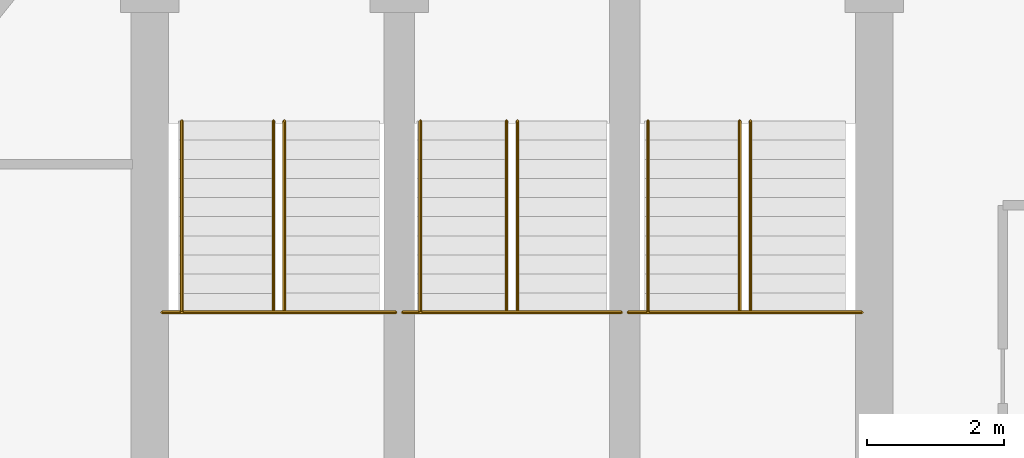
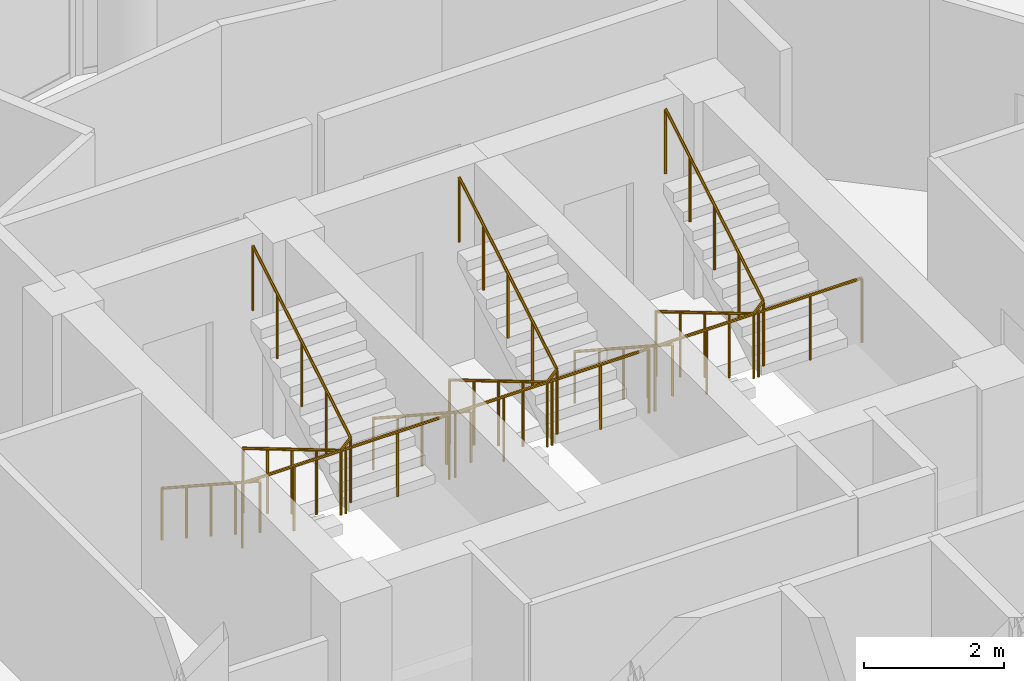
# One storey, part 27 of 27: 9 railings.
"""IFC4 building model written with IfcOpenShell, lengths in metres."""

from ifc_helpers import new_model, si_unit, direction, frame, origin, place, context, subcontext, project, spatial, polyline, outline, extrude, material, type_object, element, save


model = new_model("IFC4")

# Units and contexts
model_context = context("Model", 3, precision=1e-05, world=origin(), true_north=direction((0.0, 1.0)))
body_context = subcontext(model_context, "Body", "Model", "MODEL_VIEW")
ifc_project = project(units=[si_unit("LENGTHUNIT", "METRE"), si_unit("AREAUNIT", "SQUARE_METRE"), si_unit("VOLUMEUNIT", "CUBIC_METRE"), si_unit("PLANEANGLEUNIT", "RADIAN"), si_unit("MASSUNIT", "GRAM", prefix="KILO")], contexts=[model_context])

# Site, building, storey
site_placement = place(None, origin())
site = spatial("IfcSite", under=ifc_project, at=site_placement, CompositionType="ELEMENT")
building_placement = place(site_placement, origin())
building = spatial("IfcBuilding", under=site, at=building_placement, Name="Nuhasar Tower", CompositionType="ELEMENT")
storey_placement = place(building_placement, frame((0.0, 0.0, 226.39990234375)))
storey = spatial("IfcBuildingStorey", under=building, at=storey_placement, Name="L55", CompositionType="ELEMENT", Elevation=226.39990234375)

# Railings
ifc_material_1 = material(Name="Steel S355", Category="steel")
railing_type_1 = type_object("IfcRailingType", Name="RLG-STAIR-GUARD-1150", PredefinedType="GUARDRAIL", material=ifc_material_1)
railing_1_placement = place(storey_placement, frame((33.8798828125, 32.485107421875, 1.8251953125)))
element("IfcRailing", 1, at=railing_1_placement, inside=storey, type_object=railing_type_1, Name="L55 Stair ST-01 Guardrail LND", PredefinedType="GUARDRAIL", context=body_context, shape_type="SweptSolid", body=[
    extrude(outline(polyline([(0.024169921875, 0.0), (0.01708984375, 0.01708984375), (0.0, 0.024169921875), (-0.01708984375, 0.01708984375), (-0.024169921875, 0.0), (-0.01708984375, -0.01708984375), (0.0, -0.024169921875), (0.01708984375, -0.01708984375), (0.024169921875, 0.0)])), frame((0.0, 0.0, 1.1259765625), z_axis=(1.0, 0.0, 0.0), x_axis=(0.0, 1.0, 0.0)), (0.0, 0.0, 1.0), 3.420166015625),
    extrude(outline(polyline([(0.02099609375, 0.0), (0.014892578125, 0.014892578125), (0.0, 0.02099609375), (-0.014892578125, 0.014892578125), (-0.02099609375, 0.0), (-0.014892578125, -0.014892578125), (0.0, -0.02099609375), (0.014892578125, -0.014892578125), (0.02099609375, 0.0)])), origin(), (0.0, 0.0, 1.0), 1.101806640625),
    extrude(outline(polyline([(0.02099609375, 0.0), (0.014892578125, 0.014892578125), (0.0, 0.02099609375), (-0.014892578125, 0.014892578125), (-0.02099609375, 0.0), (-0.014892578125, -0.014892578125), (0.0, -0.02099609375), (0.014892578125, -0.014892578125), (0.02099609375, 0.0)])), frame((0.85498046875, 0.0, 0.0)), (0.0, 0.0, 1.0), 1.101806640625),
    extrude(outline(polyline([(0.02099609375, 0.0), (0.014892578125, 0.014892578125), (0.0, 0.02099609375), (-0.014892578125, 0.014892578125), (-0.02099609375, 0.0), (-0.014892578125, -0.014892578125), (0.0, -0.02099609375), (0.014892578125, -0.014892578125), (0.02099609375, 0.0)])), frame((1.7099609375, 0.0, 0.0)), (0.0, 0.0, 1.0), 1.101806640625),
    extrude(outline(polyline([(0.02099609375, 0.0), (0.014892578125, 0.014892578125), (0.0, 0.02099609375), (-0.014892578125, 0.014892578125), (-0.02099609375, 0.0), (-0.014892578125, -0.014892578125), (0.0, -0.02099609375), (0.014892578125, -0.014892578125), (0.02099609375, 0.0)])), frame((2.565185546875, 0.0, 0.0)), (0.0, 0.0, 1.0), 1.101806640625),
    extrude(outline(polyline([(0.02099609375, 0.0), (0.014892578125, 0.014892578125), (0.0, 0.02099609375), (-0.014892578125, 0.014892578125), (-0.02099609375, 0.0), (-0.014892578125, -0.014892578125), (0.0, -0.02099609375), (0.014892578125, -0.014892578125), (0.02099609375, 0.0)])), frame((3.420166015625, 0.0, 0.0)), (0.0, 0.0, 1.0), 1.101806640625),
])
railing_2_placement = place(storey_placement, frame((35.510009765625, 35.284912109375, 0.166015625)))
element("IfcRailing", 2, at=railing_2_placement, inside=storey, type_object=railing_type_1, Name="L55 Stair ST-01 Guardrail SLT", PredefinedType="GUARDRAIL", context=body_context, shape_type="SweptSolid", body=[
    extrude(outline(polyline([(0.024169921875, 0.0), (0.01708984375, 0.01708984375), (0.0, 0.024169921875), (-0.01708984375, 0.01708984375), (-0.024169921875, 0.0), (-0.01708984375, -0.01708984375), (0.0, -0.024169921875), (0.01708984375, -0.01708984375), (0.024169921875, 0.0)])), frame((0.0, 0.0, 1.1259765625), z_axis=(0.0, -0.860286659441, 0.509810615413), x_axis=(1.0, 0.0, 0.0)), (0.0, 0.0, 1.0), 3.25439453125),
    extrude(outline(polyline([(0.024169921875, 0.0), (0.01708984375, 0.01708984375), (0.0, 0.024169921875), (-0.01708984375, 0.01708984375), (-0.024169921875, 0.0), (-0.01708984375, -0.01708984375), (0.0, -0.024169921875), (0.01708984375, -0.01708984375), (0.024169921875, 0.0)])), frame((0.0, -2.7998046875, 2.78515625), z_axis=(0.693743449033, 0.0, 0.72022220663), x_axis=(0.0, 1.0, 0.0)), (0.0, 0.0, 1.0), 0.23046875),
    extrude(outline(polyline([(0.024169921875, 0.0), (0.01708984375, 0.01708984375), (0.0, 0.024169921875), (-0.01708984375, 0.01708984375), (-0.024169921875, 0.0), (-0.01708984375, -0.01708984375), (0.0, -0.024169921875), (0.01708984375, -0.01708984375), (0.024169921875, 0.0)])), frame((0.159912109375, -2.7998046875, 2.951171875), z_axis=(0.0, 0.860319559791, 0.509755093197), x_axis=(-1.0, 0.0, 0.0)), (0.0, 0.0, 1.0), 3.25439453125),
    extrude(outline(polyline([(0.02099609375, 0.0), (0.014892578125, 0.014892578125), (0.0, 0.02099609375), (-0.014892578125, 0.014892578125), (-0.02099609375, 0.0), (-0.014892578125, -0.014892578125), (0.0, -0.02099609375), (0.014892578125, -0.014892578125), (0.02099609375, 0.0)])), origin(), (0.0, 0.0, 1.0), 1.101806640625),
    extrude(outline(polyline([(0.02099609375, 0.0), (0.014892578125, 0.014892578125), (0.0, 0.02099609375), (-0.014892578125, 0.014892578125), (-0.02099609375, 0.0), (-0.014892578125, -0.014892578125), (0.0, -0.02099609375), (0.014892578125, -0.014892578125), (0.02099609375, 0.0)])), frame((0.0, -0.699951171875, 0.414794921875)), (0.0, 0.0, 1.0), 1.101806640625),
    extrude(outline(polyline([(0.02099609375, 0.0), (0.014892578125, 0.014892578125), (0.0, 0.02099609375), (-0.014892578125, 0.014892578125), (-0.02099609375, 0.0), (-0.014892578125, -0.014892578125), (0.0, -0.02099609375), (0.014892578125, -0.014892578125), (0.02099609375, 0.0)])), frame((0.0, -1.39990234375, 0.82958984375)), (0.0, 0.0, 1.0), 1.101806640625),
    extrude(outline(polyline([(0.02099609375, 0.0), (0.014892578125, 0.014892578125), (0.0, 0.02099609375), (-0.014892578125, 0.014892578125), (-0.02099609375, 0.0), (-0.014892578125, -0.014892578125), (0.0, -0.02099609375), (0.014892578125, -0.014892578125), (0.02099609375, 0.0)])), frame((0.0, -2.099853515625, 1.244384765625)), (0.0, 0.0, 1.0), 1.101806640625),
    extrude(outline(polyline([(0.02099609375, 0.0), (0.014892578125, 0.014892578125), (0.0, 0.02099609375), (-0.014892578125, 0.014892578125), (-0.02099609375, 0.0), (-0.014892578125, -0.014892578125), (0.0, -0.02099609375), (0.014892578125, -0.014892578125), (0.02099609375, 0.0)])), frame((0.0, -2.7998046875, 1.6591796875)), (0.0, 0.0, 1.0), 1.101806640625),
    extrude(outline(polyline([(0.02099609375, 0.0), (0.014892578125, 0.014892578125), (0.0, 0.02099609375), (-0.014892578125, 0.014892578125), (-0.02099609375, 0.0), (-0.014892578125, -0.014892578125), (0.0, -0.02099609375), (0.014892578125, -0.014892578125), (0.02099609375, 0.0)])), frame((0.159912109375, -2.7998046875, 1.8251953125)), (0.0, 0.0, 1.0), 1.101806640625),
    extrude(outline(polyline([(0.02099609375, 0.0), (0.014892578125, 0.014892578125), (0.0, 0.02099609375), (-0.014892578125, 0.014892578125), (-0.02099609375, 0.0), (-0.014892578125, -0.014892578125), (0.0, -0.02099609375), (0.014892578125, -0.014892578125), (0.02099609375, 0.0)])), frame((0.159912109375, -2.099853515625, 2.239990234375)), (0.0, 0.0, 1.0), 1.101806640625),
    extrude(outline(polyline([(0.02099609375, 0.0), (0.014892578125, 0.014892578125), (0.0, 0.02099609375), (-0.014892578125, 0.014892578125), (-0.02099609375, 0.0), (-0.014892578125, -0.014892578125), (0.0, -0.02099609375), (0.014892578125, -0.014892578125), (0.02099609375, 0.0)])), frame((0.159912109375, -1.39990234375, 2.65478515625)), (0.0, 0.0, 1.0), 1.101806640625),
    extrude(outline(polyline([(0.02099609375, 0.0), (0.014892578125, 0.014892578125), (0.0, 0.02099609375), (-0.014892578125, 0.014892578125), (-0.02099609375, 0.0), (-0.014892578125, -0.014892578125), (0.0, -0.02099609375), (0.014892578125, -0.014892578125), (0.02099609375, 0.0)])), frame((0.159912109375, -0.699951171875, 3.0693359375)), (0.0, 0.0, 1.0), 1.101806640625),
    extrude(outline(polyline([(0.02099609375, 0.0), (0.014892578125, 0.014892578125), (0.0, 0.02099609375), (-0.014892578125, 0.014892578125), (-0.02099609375, 0.0), (-0.014892578125, -0.014892578125), (0.0, -0.02099609375), (0.014892578125, -0.014892578125), (0.02099609375, 0.0)])), frame((0.159912109375, 0.0, 3.484130859375)), (0.0, 0.0, 1.0), 1.101806640625),
])
railing_3_placement = place(storey_placement, frame((37.39990234375, 32.485107421875, 1.8251953125)))
element("IfcRailing", 3, at=railing_3_placement, inside=storey, type_object=railing_type_1, Name="L55 Stair ST-03 Guardrail LND", PredefinedType="GUARDRAIL", context=body_context, shape_type="SweptSolid", body=[
    extrude(outline(polyline([(0.024169921875, 0.0), (0.01708984375, 0.01708984375), (0.0, 0.024169921875), (-0.01708984375, 0.01708984375), (-0.024169921875, 0.0), (-0.01708984375, -0.01708984375), (0.0, -0.024169921875), (0.01708984375, -0.01708984375), (0.024169921875, 0.0)])), frame((0.0, 0.0, 1.1259765625), z_axis=(1.0, 0.0, 0.0), x_axis=(0.0, 1.0, 0.0)), (0.0, 0.0, 1.0), 3.2001953125),
    extrude(outline(polyline([(0.02099609375, 0.0), (0.014892578125, 0.014892578125), (0.0, 0.02099609375), (-0.014892578125, 0.014892578125), (-0.02099609375, 0.0), (-0.014892578125, -0.014892578125), (0.0, -0.02099609375), (0.014892578125, -0.014892578125), (0.02099609375, 0.0)])), origin(), (0.0, 0.0, 1.0), 1.101806640625),
    extrude(outline(polyline([(0.02099609375, 0.0), (0.014892578125, 0.014892578125), (0.0, 0.02099609375), (-0.014892578125, 0.014892578125), (-0.02099609375, 0.0), (-0.014892578125, -0.014892578125), (0.0, -0.02099609375), (0.014892578125, -0.014892578125), (0.02099609375, 0.0)])), frame((0.800048828125, 0.0, 0.0)), (0.0, 0.0, 1.0), 1.101806640625),
    extrude(outline(polyline([(0.02099609375, 0.0), (0.014892578125, 0.014892578125), (0.0, 0.02099609375), (-0.014892578125, 0.014892578125), (-0.02099609375, 0.0), (-0.014892578125, -0.014892578125), (0.0, -0.02099609375), (0.014892578125, -0.014892578125), (0.02099609375, 0.0)])), frame((1.60009765625, 0.0, 0.0)), (0.0, 0.0, 1.0), 1.101806640625),
    extrude(outline(polyline([(0.02099609375, 0.0), (0.014892578125, 0.014892578125), (0.0, 0.02099609375), (-0.014892578125, 0.014892578125), (-0.02099609375, 0.0), (-0.014892578125, -0.014892578125), (0.0, -0.02099609375), (0.014892578125, -0.014892578125), (0.02099609375, 0.0)])), frame((2.400146484375, 0.0, 0.0)), (0.0, 0.0, 1.0), 1.101806640625),
    extrude(outline(polyline([(0.02099609375, 0.0), (0.014892578125, 0.014892578125), (0.0, 0.02099609375), (-0.014892578125, 0.014892578125), (-0.02099609375, 0.0), (-0.014892578125, -0.014892578125), (0.0, -0.02099609375), (0.014892578125, -0.014892578125), (0.02099609375, 0.0)])), frame((3.2001953125, 0.0, 0.0)), (0.0, 0.0, 1.0), 1.101806640625),
])
railing_4_placement = place(storey_placement, frame((38.919921875, 35.284912109375, 0.166015625)))
element("IfcRailing", 4, at=railing_4_placement, inside=storey, type_object=railing_type_1, Name="L55 Stair ST-03 Guardrail SLT", PredefinedType="GUARDRAIL", context=body_context, shape_type="SweptSolid", body=[
    extrude(outline(polyline([(0.024169921875, 0.0), (0.01708984375, 0.01708984375), (0.0, 0.024169921875), (-0.01708984375, 0.01708984375), (-0.024169921875, 0.0), (-0.01708984375, -0.01708984375), (0.0, -0.024169921875), (0.01708984375, -0.01708984375), (0.024169921875, 0.0)])), frame((0.0, 0.0, 1.1259765625), z_axis=(0.0, -0.860286659441, 0.509810615413), x_axis=(1.0, 0.0, 0.0)), (0.0, 0.0, 1.0), 3.25439453125),
    extrude(outline(polyline([(0.024169921875, 0.0), (0.01708984375, 0.01708984375), (0.0, 0.024169921875), (-0.01708984375, 0.01708984375), (-0.024169921875, 0.0), (-0.01708984375, -0.01708984375), (0.0, -0.024169921875), (0.01708984375, -0.01708984375), (0.024169921875, 0.0)])), frame((0.0, -2.7998046875, 2.78515625), z_axis=(0.694292246407, 0.0, 0.719693182251), x_axis=(0.0, 1.0, 0.0)), (0.0, 0.0, 1.0), 0.230712890625),
    extrude(outline(polyline([(0.024169921875, 0.0), (0.01708984375, 0.01708984375), (0.0, 0.024169921875), (-0.01708984375, 0.01708984375), (-0.024169921875, 0.0), (-0.01708984375, -0.01708984375), (0.0, -0.024169921875), (0.01708984375, -0.01708984375), (0.024169921875, 0.0)])), frame((0.16015625, -2.7998046875, 2.951171875), z_axis=(0.0, 0.860319559791, 0.509755093197), x_axis=(-1.0, 0.0, 0.0)), (0.0, 0.0, 1.0), 3.25439453125),
    extrude(outline(polyline([(0.02099609375, 0.0), (0.014892578125, 0.014892578125), (0.0, 0.02099609375), (-0.014892578125, 0.014892578125), (-0.02099609375, 0.0), (-0.014892578125, -0.014892578125), (0.0, -0.02099609375), (0.014892578125, -0.014892578125), (0.02099609375, 0.0)])), origin(), (0.0, 0.0, 1.0), 1.101806640625),
    extrude(outline(polyline([(0.02099609375, 0.0), (0.014892578125, 0.014892578125), (0.0, 0.02099609375), (-0.014892578125, 0.014892578125), (-0.02099609375, 0.0), (-0.014892578125, -0.014892578125), (0.0, -0.02099609375), (0.014892578125, -0.014892578125), (0.02099609375, 0.0)])), frame((0.0, -0.699951171875, 0.414794921875)), (0.0, 0.0, 1.0), 1.101806640625),
    extrude(outline(polyline([(0.02099609375, 0.0), (0.014892578125, 0.014892578125), (0.0, 0.02099609375), (-0.014892578125, 0.014892578125), (-0.02099609375, 0.0), (-0.014892578125, -0.014892578125), (0.0, -0.02099609375), (0.014892578125, -0.014892578125), (0.02099609375, 0.0)])), frame((0.0, -1.39990234375, 0.82958984375)), (0.0, 0.0, 1.0), 1.101806640625),
    extrude(outline(polyline([(0.02099609375, 0.0), (0.014892578125, 0.014892578125), (0.0, 0.02099609375), (-0.014892578125, 0.014892578125), (-0.02099609375, 0.0), (-0.014892578125, -0.014892578125), (0.0, -0.02099609375), (0.014892578125, -0.014892578125), (0.02099609375, 0.0)])), frame((0.0, -2.099853515625, 1.244384765625)), (0.0, 0.0, 1.0), 1.101806640625),
    extrude(outline(polyline([(0.02099609375, 0.0), (0.014892578125, 0.014892578125), (0.0, 0.02099609375), (-0.014892578125, 0.014892578125), (-0.02099609375, 0.0), (-0.014892578125, -0.014892578125), (0.0, -0.02099609375), (0.014892578125, -0.014892578125), (0.02099609375, 0.0)])), frame((0.0, -2.7998046875, 1.6591796875)), (0.0, 0.0, 1.0), 1.101806640625),
    extrude(outline(polyline([(0.02099609375, 0.0), (0.014892578125, 0.014892578125), (0.0, 0.02099609375), (-0.014892578125, 0.014892578125), (-0.02099609375, 0.0), (-0.014892578125, -0.014892578125), (0.0, -0.02099609375), (0.014892578125, -0.014892578125), (0.02099609375, 0.0)])), frame((0.16015625, -2.7998046875, 1.8251953125)), (0.0, 0.0, 1.0), 1.101806640625),
    extrude(outline(polyline([(0.02099609375, 0.0), (0.014892578125, 0.014892578125), (0.0, 0.02099609375), (-0.014892578125, 0.014892578125), (-0.02099609375, 0.0), (-0.014892578125, -0.014892578125), (0.0, -0.02099609375), (0.014892578125, -0.014892578125), (0.02099609375, 0.0)])), frame((0.16015625, -2.099853515625, 2.239990234375)), (0.0, 0.0, 1.0), 1.101806640625),
    extrude(outline(polyline([(0.02099609375, 0.0), (0.014892578125, 0.014892578125), (0.0, 0.02099609375), (-0.014892578125, 0.014892578125), (-0.02099609375, 0.0), (-0.014892578125, -0.014892578125), (0.0, -0.02099609375), (0.014892578125, -0.014892578125), (0.02099609375, 0.0)])), frame((0.16015625, -1.39990234375, 2.65478515625)), (0.0, 0.0, 1.0), 1.101806640625),
    extrude(outline(polyline([(0.02099609375, 0.0), (0.014892578125, 0.014892578125), (0.0, 0.02099609375), (-0.014892578125, 0.014892578125), (-0.02099609375, 0.0), (-0.014892578125, -0.014892578125), (0.0, -0.02099609375), (0.014892578125, -0.014892578125), (0.02099609375, 0.0)])), frame((0.16015625, -0.699951171875, 3.0693359375)), (0.0, 0.0, 1.0), 1.101806640625),
    extrude(outline(polyline([(0.02099609375, 0.0), (0.014892578125, 0.014892578125), (0.0, 0.02099609375), (-0.014892578125, 0.014892578125), (-0.02099609375, 0.0), (-0.014892578125, -0.014892578125), (0.0, -0.02099609375), (0.014892578125, -0.014892578125), (0.02099609375, 0.0)])), frame((0.16015625, 0.0, 3.484130859375)), (0.0, 0.0, 1.0), 1.101806640625),
])
railing_5_placement = place(storey_placement, frame((40.699951171875, 32.485107421875, 1.8251953125)))
element("IfcRailing", 5, at=railing_5_placement, inside=storey, type_object=railing_type_1, Name="L55 Stair ST-02 Guardrail LND", PredefinedType="GUARDRAIL", context=body_context, shape_type="SweptSolid", body=[
    extrude(outline(polyline([(0.024169921875, 0.0), (0.01708984375, 0.01708984375), (0.0, 0.024169921875), (-0.01708984375, 0.01708984375), (-0.024169921875, 0.0), (-0.01708984375, -0.01708984375), (0.0, -0.024169921875), (0.01708984375, -0.01708984375), (0.024169921875, 0.0)])), frame((0.0, 0.0, 1.1259765625), z_axis=(1.0, 0.0, 0.0), x_axis=(0.0, 1.0, 0.0)), (0.0, 0.0, 1.0), 3.420166015625),
    extrude(outline(polyline([(0.02099609375, 0.0), (0.014892578125, 0.014892578125), (0.0, 0.02099609375), (-0.014892578125, 0.014892578125), (-0.02099609375, 0.0), (-0.014892578125, -0.014892578125), (0.0, -0.02099609375), (0.014892578125, -0.014892578125), (0.02099609375, 0.0)])), origin(), (0.0, 0.0, 1.0), 1.101806640625),
    extrude(outline(polyline([(0.02099609375, 0.0), (0.014892578125, 0.014892578125), (0.0, 0.02099609375), (-0.014892578125, 0.014892578125), (-0.02099609375, 0.0), (-0.014892578125, -0.014892578125), (0.0, -0.02099609375), (0.014892578125, -0.014892578125), (0.02099609375, 0.0)])), frame((0.85498046875, 0.0, 0.0)), (0.0, 0.0, 1.0), 1.101806640625),
    extrude(outline(polyline([(0.02099609375, 0.0), (0.014892578125, 0.014892578125), (0.0, 0.02099609375), (-0.014892578125, 0.014892578125), (-0.02099609375, 0.0), (-0.014892578125, -0.014892578125), (0.0, -0.02099609375), (0.014892578125, -0.014892578125), (0.02099609375, 0.0)])), frame((1.7099609375, 0.0, 0.0)), (0.0, 0.0, 1.0), 1.101806640625),
    extrude(outline(polyline([(0.02099609375, 0.0), (0.014892578125, 0.014892578125), (0.0, 0.02099609375), (-0.014892578125, 0.014892578125), (-0.02099609375, 0.0), (-0.014892578125, -0.014892578125), (0.0, -0.02099609375), (0.014892578125, -0.014892578125), (0.02099609375, 0.0)])), frame((2.565185546875, 0.0, 0.0)), (0.0, 0.0, 1.0), 1.101806640625),
    extrude(outline(polyline([(0.02099609375, 0.0), (0.014892578125, 0.014892578125), (0.0, 0.02099609375), (-0.014892578125, 0.014892578125), (-0.02099609375, 0.0), (-0.014892578125, -0.014892578125), (0.0, -0.02099609375), (0.014892578125, -0.014892578125), (0.02099609375, 0.0)])), frame((3.420166015625, 0.0, 0.0)), (0.0, 0.0, 1.0), 1.101806640625),
])
railing_6_placement = place(storey_placement, frame((42.330078125, 35.284912109375, 0.166015625)))
element("IfcRailing", 6, at=railing_6_placement, inside=storey, type_object=railing_type_1, Name="L55 Stair ST-02 Guardrail SLT", PredefinedType="GUARDRAIL", context=body_context, shape_type="SweptSolid", body=[
    extrude(outline(polyline([(0.024169921875, 0.0), (0.01708984375, 0.01708984375), (0.0, 0.024169921875), (-0.01708984375, 0.01708984375), (-0.024169921875, 0.0), (-0.01708984375, -0.01708984375), (0.0, -0.024169921875), (0.01708984375, -0.01708984375), (0.024169921875, 0.0)])), frame((0.0, 0.0, 1.1259765625), z_axis=(0.0, -0.860286659441, 0.509810615413), x_axis=(1.0, 0.0, 0.0)), (0.0, 0.0, 1.0), 3.25439453125),
    extrude(outline(polyline([(0.024169921875, 0.0), (0.01708984375, 0.01708984375), (0.0, 0.024169921875), (-0.01708984375, 0.01708984375), (-0.024169921875, 0.0), (-0.01708984375, -0.01708984375), (0.0, -0.024169921875), (0.01708984375, -0.01708984375), (0.024169921875, 0.0)])), frame((0.0, -2.7998046875, 2.78515625), z_axis=(0.693743449033, 0.0, 0.72022220663), x_axis=(0.0, 1.0, 0.0)), (0.0, 0.0, 1.0), 0.23046875),
    extrude(outline(polyline([(0.024169921875, 0.0), (0.01708984375, 0.01708984375), (0.0, 0.024169921875), (-0.01708984375, 0.01708984375), (-0.024169921875, 0.0), (-0.01708984375, -0.01708984375), (0.0, -0.024169921875), (0.01708984375, -0.01708984375), (0.024169921875, 0.0)])), frame((0.159912109375, -2.7998046875, 2.951171875), z_axis=(0.0, 0.860319559791, 0.509755093197), x_axis=(-1.0, 0.0, 0.0)), (0.0, 0.0, 1.0), 3.25439453125),
    extrude(outline(polyline([(0.02099609375, 0.0), (0.014892578125, 0.014892578125), (0.0, 0.02099609375), (-0.014892578125, 0.014892578125), (-0.02099609375, 0.0), (-0.014892578125, -0.014892578125), (0.0, -0.02099609375), (0.014892578125, -0.014892578125), (0.02099609375, 0.0)])), origin(), (0.0, 0.0, 1.0), 1.101806640625),
    extrude(outline(polyline([(0.02099609375, 0.0), (0.014892578125, 0.014892578125), (0.0, 0.02099609375), (-0.014892578125, 0.014892578125), (-0.02099609375, 0.0), (-0.014892578125, -0.014892578125), (0.0, -0.02099609375), (0.014892578125, -0.014892578125), (0.02099609375, 0.0)])), frame((0.0, -0.699951171875, 0.414794921875)), (0.0, 0.0, 1.0), 1.101806640625),
    extrude(outline(polyline([(0.02099609375, 0.0), (0.014892578125, 0.014892578125), (0.0, 0.02099609375), (-0.014892578125, 0.014892578125), (-0.02099609375, 0.0), (-0.014892578125, -0.014892578125), (0.0, -0.02099609375), (0.014892578125, -0.014892578125), (0.02099609375, 0.0)])), frame((0.0, -1.39990234375, 0.82958984375)), (0.0, 0.0, 1.0), 1.101806640625),
    extrude(outline(polyline([(0.02099609375, 0.0), (0.014892578125, 0.014892578125), (0.0, 0.02099609375), (-0.014892578125, 0.014892578125), (-0.02099609375, 0.0), (-0.014892578125, -0.014892578125), (0.0, -0.02099609375), (0.014892578125, -0.014892578125), (0.02099609375, 0.0)])), frame((0.0, -2.099853515625, 1.244384765625)), (0.0, 0.0, 1.0), 1.101806640625),
    extrude(outline(polyline([(0.02099609375, 0.0), (0.014892578125, 0.014892578125), (0.0, 0.02099609375), (-0.014892578125, 0.014892578125), (-0.02099609375, 0.0), (-0.014892578125, -0.014892578125), (0.0, -0.02099609375), (0.014892578125, -0.014892578125), (0.02099609375, 0.0)])), frame((0.0, -2.7998046875, 1.6591796875)), (0.0, 0.0, 1.0), 1.101806640625),
    extrude(outline(polyline([(0.02099609375, 0.0), (0.014892578125, 0.014892578125), (0.0, 0.02099609375), (-0.014892578125, 0.014892578125), (-0.02099609375, 0.0), (-0.014892578125, -0.014892578125), (0.0, -0.02099609375), (0.014892578125, -0.014892578125), (0.02099609375, 0.0)])), frame((0.159912109375, -2.7998046875, 1.8251953125)), (0.0, 0.0, 1.0), 1.101806640625),
    extrude(outline(polyline([(0.02099609375, 0.0), (0.014892578125, 0.014892578125), (0.0, 0.02099609375), (-0.014892578125, 0.014892578125), (-0.02099609375, 0.0), (-0.014892578125, -0.014892578125), (0.0, -0.02099609375), (0.014892578125, -0.014892578125), (0.02099609375, 0.0)])), frame((0.159912109375, -2.099853515625, 2.239990234375)), (0.0, 0.0, 1.0), 1.101806640625),
    extrude(outline(polyline([(0.02099609375, 0.0), (0.014892578125, 0.014892578125), (0.0, 0.02099609375), (-0.014892578125, 0.014892578125), (-0.02099609375, 0.0), (-0.014892578125, -0.014892578125), (0.0, -0.02099609375), (0.014892578125, -0.014892578125), (0.02099609375, 0.0)])), frame((0.159912109375, -1.39990234375, 2.65478515625)), (0.0, 0.0, 1.0), 1.101806640625),
    extrude(outline(polyline([(0.02099609375, 0.0), (0.014892578125, 0.014892578125), (0.0, 0.02099609375), (-0.014892578125, 0.014892578125), (-0.02099609375, 0.0), (-0.014892578125, -0.014892578125), (0.0, -0.02099609375), (0.014892578125, -0.014892578125), (0.02099609375, 0.0)])), frame((0.159912109375, -0.699951171875, 3.0693359375)), (0.0, 0.0, 1.0), 1.101806640625),
    extrude(outline(polyline([(0.02099609375, 0.0), (0.014892578125, 0.014892578125), (0.0, 0.02099609375), (-0.014892578125, 0.014892578125), (-0.02099609375, 0.0), (-0.014892578125, -0.014892578125), (0.0, -0.02099609375), (0.014892578125, -0.014892578125), (0.02099609375, 0.0)])), frame((0.159912109375, 0.0, 3.484130859375)), (0.0, 0.0, 1.0), 1.101806640625),
])
ifc_material_2 = material(Name="Stainless Steel 316L", Category="steel")
railing_type_2 = type_object("IfcRailingType", Name="RLG-STAIR-HAND-920", PredefinedType="HANDRAIL", material=ifc_material_2)
railing_7_placement = place(storey_placement, frame((34.169921875, 35.284912109375, 0.166015625)))
element("IfcRailing", 7, at=railing_7_placement, inside=storey, type_object=railing_type_2, Name="L55 Stair ST-01 Handrail HND1", PredefinedType="HANDRAIL", context=body_context, shape_type="SweptSolid", body=[
    extrude(outline(polyline([(0.024169921875, 0.0), (0.01708984375, 0.01708984375), (0.0, 0.024169921875), (-0.01708984375, 0.01708984375), (-0.024169921875, 0.0), (-0.01708984375, -0.01708984375), (0.0, -0.024169921875), (0.01708984375, -0.01708984375), (0.024169921875, 0.0)])), frame((0.0, 0.0, 0.89599609375), z_axis=(0.0, -0.837715212655, 0.546107336049), x_axis=(1.0, 0.0, 0.0)), (0.0, 0.0, 1.0), 3.34228515625),
    extrude(outline(polyline([(0.02099609375, 0.0), (0.014892578125, 0.014892578125), (0.0, 0.02099609375), (-0.014892578125, 0.014892578125), (-0.02099609375, 0.0), (-0.014892578125, -0.014892578125), (0.0, -0.02099609375), (0.014892578125, -0.014892578125), (0.02099609375, 0.0)])), origin(), (0.0, 0.0, 1.0), 0.871826171875),
    extrude(outline(polyline([(0.02099609375, 0.0), (0.014892578125, 0.014892578125), (0.0, 0.02099609375), (-0.014892578125, 0.014892578125), (-0.02099609375, 0.0), (-0.014892578125, -0.014892578125), (0.0, -0.02099609375), (0.014892578125, -0.014892578125), (0.02099609375, 0.0)])), frame((0.0, -0.699951171875, 0.456298828125)), (0.0, 0.0, 1.0), 0.871826171875),
    extrude(outline(polyline([(0.02099609375, 0.0), (0.014892578125, 0.014892578125), (0.0, 0.02099609375), (-0.014892578125, 0.014892578125), (-0.02099609375, 0.0), (-0.014892578125, -0.014892578125), (0.0, -0.02099609375), (0.014892578125, -0.014892578125), (0.02099609375, 0.0)])), frame((0.0, -1.39990234375, 0.91259765625)), (0.0, 0.0, 1.0), 0.871826171875),
    extrude(outline(polyline([(0.02099609375, 0.0), (0.014892578125, 0.014892578125), (0.0, 0.02099609375), (-0.014892578125, 0.014892578125), (-0.02099609375, 0.0), (-0.014892578125, -0.014892578125), (0.0, -0.02099609375), (0.014892578125, -0.014892578125), (0.02099609375, 0.0)])), frame((0.0, -2.099853515625, 1.368896484375)), (0.0, 0.0, 1.0), 0.871826171875),
    extrude(outline(polyline([(0.02099609375, 0.0), (0.014892578125, 0.014892578125), (0.0, 0.02099609375), (-0.014892578125, 0.014892578125), (-0.02099609375, 0.0), (-0.014892578125, -0.014892578125), (0.0, -0.02099609375), (0.014892578125, -0.014892578125), (0.02099609375, 0.0)])), frame((0.0, -2.7998046875, 1.8251953125)), (0.0, 0.0, 1.0), 0.871826171875),
])
railing_8_placement = place(storey_placement, frame((37.659912109375, 35.284912109375, 0.166015625)))
element("IfcRailing", 8, at=railing_8_placement, inside=storey, type_object=railing_type_2, Name="L55 Stair ST-03 Handrail HND1", PredefinedType="HANDRAIL", context=body_context, shape_type="SweptSolid", body=[
    extrude(outline(polyline([(0.024169921875, 0.0), (0.01708984375, 0.01708984375), (0.0, 0.024169921875), (-0.01708984375, 0.01708984375), (-0.024169921875, 0.0), (-0.01708984375, -0.01708984375), (0.0, -0.024169921875), (0.01708984375, -0.01708984375), (0.024169921875, 0.0)])), frame((0.0, 0.0, 0.89599609375), z_axis=(0.0, -0.837715212655, 0.546107336049), x_axis=(1.0, 0.0, 0.0)), (0.0, 0.0, 1.0), 3.34228515625),
    extrude(outline(polyline([(0.02099609375, 0.0), (0.014892578125, 0.014892578125), (0.0, 0.02099609375), (-0.014892578125, 0.014892578125), (-0.02099609375, 0.0), (-0.014892578125, -0.014892578125), (0.0, -0.02099609375), (0.014892578125, -0.014892578125), (0.02099609375, 0.0)])), origin(), (0.0, 0.0, 1.0), 0.871826171875),
    extrude(outline(polyline([(0.02099609375, 0.0), (0.014892578125, 0.014892578125), (0.0, 0.02099609375), (-0.014892578125, 0.014892578125), (-0.02099609375, 0.0), (-0.014892578125, -0.014892578125), (0.0, -0.02099609375), (0.014892578125, -0.014892578125), (0.02099609375, 0.0)])), frame((0.0, -0.699951171875, 0.456298828125)), (0.0, 0.0, 1.0), 0.871826171875),
    extrude(outline(polyline([(0.02099609375, 0.0), (0.014892578125, 0.014892578125), (0.0, 0.02099609375), (-0.014892578125, 0.014892578125), (-0.02099609375, 0.0), (-0.014892578125, -0.014892578125), (0.0, -0.02099609375), (0.014892578125, -0.014892578125), (0.02099609375, 0.0)])), frame((0.0, -1.39990234375, 0.91259765625)), (0.0, 0.0, 1.0), 0.871826171875),
    extrude(outline(polyline([(0.02099609375, 0.0), (0.014892578125, 0.014892578125), (0.0, 0.02099609375), (-0.014892578125, 0.014892578125), (-0.02099609375, 0.0), (-0.014892578125, -0.014892578125), (0.0, -0.02099609375), (0.014892578125, -0.014892578125), (0.02099609375, 0.0)])), frame((0.0, -2.099853515625, 1.368896484375)), (0.0, 0.0, 1.0), 0.871826171875),
    extrude(outline(polyline([(0.02099609375, 0.0), (0.014892578125, 0.014892578125), (0.0, 0.02099609375), (-0.014892578125, 0.014892578125), (-0.02099609375, 0.0), (-0.014892578125, -0.014892578125), (0.0, -0.02099609375), (0.014892578125, -0.014892578125), (0.02099609375, 0.0)])), frame((0.0, -2.7998046875, 1.8251953125)), (0.0, 0.0, 1.0), 0.871826171875),
])
railing_9_placement = place(storey_placement, frame((40.989990234375, 35.284912109375, 0.166015625)))
element("IfcRailing", 9, at=railing_9_placement, inside=storey, type_object=railing_type_2, Name="L55 Stair ST-02 Handrail HND1", PredefinedType="HANDRAIL", context=body_context, shape_type="SweptSolid", body=[
    extrude(outline(polyline([(0.024169921875, 0.0), (0.01708984375, 0.01708984375), (0.0, 0.024169921875), (-0.01708984375, 0.01708984375), (-0.024169921875, 0.0), (-0.01708984375, -0.01708984375), (0.0, -0.024169921875), (0.01708984375, -0.01708984375), (0.024169921875, 0.0)])), frame((0.0, 0.0, 0.89599609375), z_axis=(0.0, -0.837715212655, 0.546107336049), x_axis=(1.0, 0.0, 0.0)), (0.0, 0.0, 1.0), 3.34228515625),
    extrude(outline(polyline([(0.02099609375, 0.0), (0.014892578125, 0.014892578125), (0.0, 0.02099609375), (-0.014892578125, 0.014892578125), (-0.02099609375, 0.0), (-0.014892578125, -0.014892578125), (0.0, -0.02099609375), (0.014892578125, -0.014892578125), (0.02099609375, 0.0)])), origin(), (0.0, 0.0, 1.0), 0.871826171875),
    extrude(outline(polyline([(0.02099609375, 0.0), (0.014892578125, 0.014892578125), (0.0, 0.02099609375), (-0.014892578125, 0.014892578125), (-0.02099609375, 0.0), (-0.014892578125, -0.014892578125), (0.0, -0.02099609375), (0.014892578125, -0.014892578125), (0.02099609375, 0.0)])), frame((0.0, -0.699951171875, 0.456298828125)), (0.0, 0.0, 1.0), 0.871826171875),
    extrude(outline(polyline([(0.02099609375, 0.0), (0.014892578125, 0.014892578125), (0.0, 0.02099609375), (-0.014892578125, 0.014892578125), (-0.02099609375, 0.0), (-0.014892578125, -0.014892578125), (0.0, -0.02099609375), (0.014892578125, -0.014892578125), (0.02099609375, 0.0)])), frame((0.0, -1.39990234375, 0.91259765625)), (0.0, 0.0, 1.0), 0.871826171875),
    extrude(outline(polyline([(0.02099609375, 0.0), (0.014892578125, 0.014892578125), (0.0, 0.02099609375), (-0.014892578125, 0.014892578125), (-0.02099609375, 0.0), (-0.014892578125, -0.014892578125), (0.0, -0.02099609375), (0.014892578125, -0.014892578125), (0.02099609375, 0.0)])), frame((0.0, -2.099853515625, 1.368896484375)), (0.0, 0.0, 1.0), 0.871826171875),
    extrude(outline(polyline([(0.02099609375, 0.0), (0.014892578125, 0.014892578125), (0.0, 0.02099609375), (-0.014892578125, 0.014892578125), (-0.02099609375, 0.0), (-0.014892578125, -0.014892578125), (0.0, -0.02099609375), (0.014892578125, -0.014892578125), (0.02099609375, 0.0)])), frame((0.0, -2.7998046875, 1.8251953125)), (0.0, 0.0, 1.0), 0.871826171875),
])

save(model, "model.ifc")
